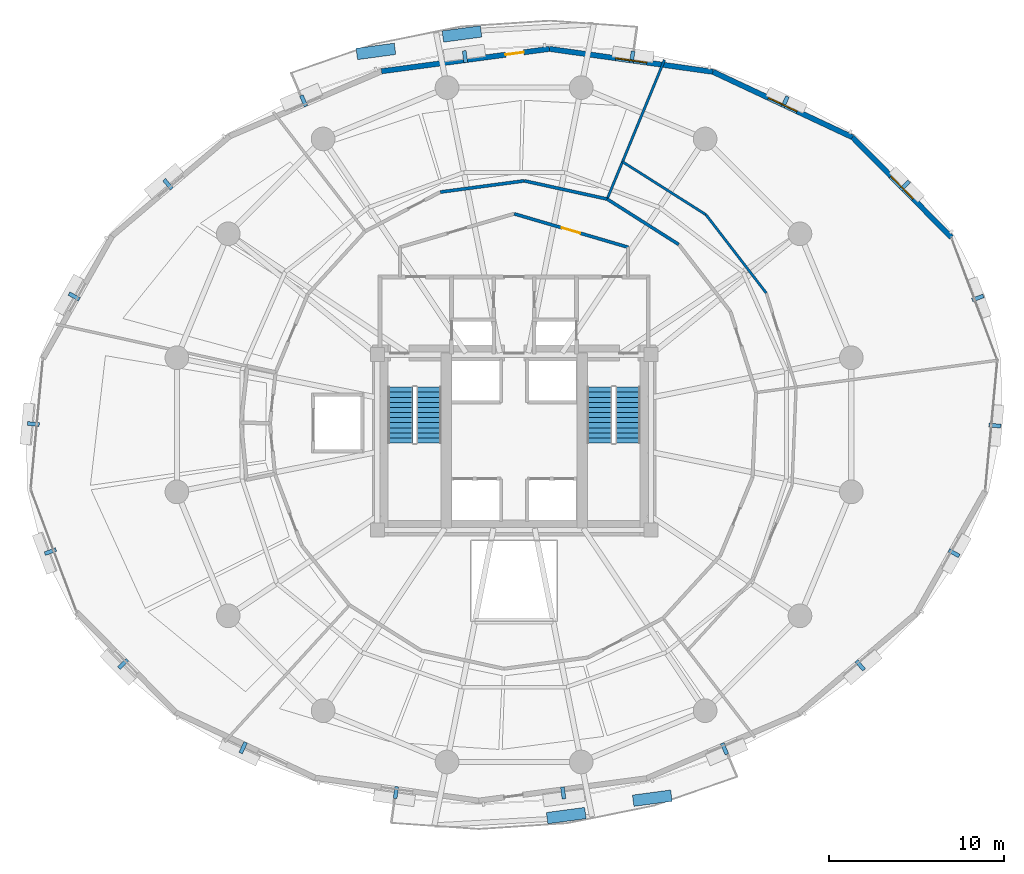
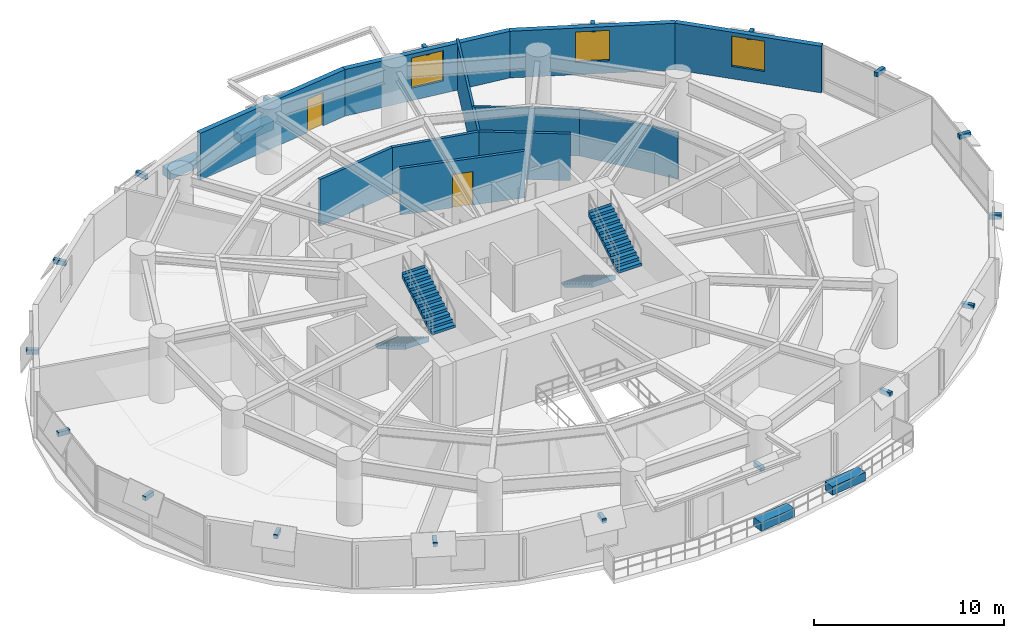
# One storey, part 14 of 17: 22 discrete accessories, 11 walls, 4 stair flights, 3 windows, 2 doors, 5 openings, 2 elements without a shape of their own.
"""IFC4 building model written with IfcOpenShell, lengths in metres."""

from ifc_helpers import new_model, si_unit, direction, frame, frame_2d, origin, origin_2d, place, context, subcontext, project, spatial, polyline, rectangle, outline, extrude, material, layer, layer_set, type_object, element, fill, aggregate, save


model = new_model("IFC4")

# Units and contexts
model_context = context("Model", 3, precision=1e-05, world=origin(), true_north=direction((0.0, 1.0)))
body_context = subcontext(model_context, "Body", "Model", "MODEL_VIEW")
ifc_project = project(units=[si_unit("LENGTHUNIT", "METRE"), si_unit("AREAUNIT", "SQUARE_METRE"), si_unit("VOLUMEUNIT", "CUBIC_METRE"), si_unit("PLANEANGLEUNIT", "RADIAN"), si_unit("MASSUNIT", "GRAM", prefix="KILO"), si_unit("THERMODYNAMICTEMPERATUREUNIT", "KELVIN"), si_unit("POWERUNIT", "WATT")], contexts=[model_context])

# Site, building, storey
site_placement = place(None, origin())
site = spatial("IfcSite", under=ifc_project, at=site_placement, CompositionType="ELEMENT")
building_placement = place(site_placement, origin())
building = spatial("IfcBuilding", under=site, at=building_placement, Name="Ocrelia Relay Tower", CompositionType="ELEMENT")
storey_placement = place(building_placement, frame((0.0, 0.0, 63.60009765625)))
storey = spatial("IfcBuildingStorey", under=building, at=storey_placement, Name="L14", CompositionType="ELEMENT", Elevation=63.60009765625)

# Wall, opening, door
ifc_material_1 = material(Name="Gypsum Fireboard Partition EI60", Category="gypsum")
ifc_layer_1 = layer(ifc_material_1, 0.179931640625, Name="Gypsum Fireboard Partition EI60")
ifc_layer_set_1 = layer_set([ifc_layer_1], Name="Gypsum Fireboard Partition EI60")
wall_type_1 = type_object("IfcWallType", Name="W-CORR-EI60-180", PredefinedType="PARTITIONING", material=ifc_layer_set_1)
wall_1_placement = place(storey_placement, frame((34.0, 38.030029296875, 0.0), z_axis=(0.0, 0.0, 1.0), x_axis=(0.959546654541, -0.281549671923, 0.0)))
wall_1 = element("IfcWall", 1, at=wall_1_placement, inside=storey, type_object=wall_type_1, Name="L14 North Smoke Lobby E Screen Wall", PredefinedType="PARTITIONING", context=body_context, shape_type="SweptSolid", body=[
    extrude(rectangle(XDim=6.77392578125, YDim=0.179931640625, at=frame_2d((3.386962890625, 0.0))), origin(), (0.0, 0.0, 1.0), 3.0),
])
opening_1_placement = place(wall_1_placement, frame((2.8369140625, 0.0, 0.0)))
opening_1 = element("IfcOpeningElement", 2, at=opening_1_placement, cuts=wall_1, Name="Opening D-FD60", PredefinedType="OPENING", context=body_context, shape_type="SweptSolid", body=[
    extrude(rectangle(XDim=1.10009765625, YDim=2.14990234375, at=frame_2d((0.550048828125, 1.074951171875))), frame((0.0, 0.10009765625, 0.0), z_axis=(0.0, -1.0, 0.0), x_axis=(1.0, 0.0, 0.0)), (0.0, 0.0, 1.0), 0.199951171875),
])
ifc_material_2 = material(Name="Timber-core 60-min acoustic fire door", Category="wood")
door_type_1 = type_object("IfcDoorType", Name="DR-LOBBY-FD60-1100", OperationType="NOTDEFINED", PredefinedType="DOOR", material=ifc_material_2)
door_1_placement = place(opening_1_placement, origin())
door_1 = element("IfcDoor", 3, at=door_1_placement, inside=storey, type_object=door_type_1, Name="L14 North Smoke Lobby E Fire Door", OperationType="SINGLE_SWING_LEFT", OverallHeight=2.14990234375, OverallWidth=1.10009765625, PredefinedType="DOOR", context=body_context, shape_type="SweptSolid", body=[
    extrude(rectangle(XDim=1.10009765625, YDim=2.14990234375, at=frame_2d((0.550048828125, 1.074951171875))), frame((0.0, 0.02490234375, 0.0), z_axis=(0.0, -1.0, 0.0), x_axis=(1.0, 0.0, 0.0)), (0.0, 0.0, 1.0), 0.050048828125),
])
fill(opening_1, door_1)

# Walls
for number, where, z_axis, x_axis, name in (
    (4, (43.38623046875, 36.279296875, 0.0), (0.0, 0.0, 1.0), (-0.844332495787, 0.535819593295, 0.0), "L14 Staff Wellness Room Corridor Partition 3"),
    (5, (39.304443359375, 38.86962890625, 0.0), (0.0, 0.0, 1.0), (-0.97667180078, 0.214737499194, 0.0), "L14 Shift Staff Lounge Corridor Partition 1"),
):
    element("IfcWall", number, at=place(storey_placement, frame(where, z_axis=z_axis, x_axis=x_axis)), inside=storey, type_object=wall_type_1, Name=name, PredefinedType="PARTITIONING", context=body_context, shape_type="SweptSolid", body=[
        extrude(rectangle(XDim=4.834228515625, YDim=0.179931640625, at=frame_2d((2.4169921875, 0.0))), origin(), (0.0, 0.0, 1.0), 3.0),
    ])
wall_2_placement = place(storey_placement, frame((34.5830078125, 39.90771484375, 0.0), z_axis=(0.0, 0.0, 1.0), x_axis=(-0.991215105634, -0.132259647527, 0.0)))
element("IfcWall", 6, at=wall_2_placement, inside=storey, type_object=wall_type_1, Name="L14 Shift Staff Lounge Corridor Partition 2", PredefinedType="PARTITIONING", context=body_context, shape_type="SweptSolid", body=[
    extrude(rectangle(XDim=4.83447265625, YDim=0.179931640625, at=frame_2d((2.417236328125, 0.0))), origin(), (0.0, 0.0, 1.0), 3.0),
])

# Wall, opening, window
ifc_material_3 = material(Name="Precast concrete C40/50 with oxide terracotta", Category="masonry")
ifc_layer_2 = layer(ifc_material_3, 0.300048828125, Name="Precast concrete C40/50 with oxide terracotta")
ifc_layer_set_2 = layer_set([ifc_layer_2], Name="Precast concrete C40/50 with oxide terracotta")
wall_type_2 = type_object("IfcWallType", Name="W-EXT-TERR-300", PredefinedType="SOLIDWALL", material=ifc_layer_set_2)
wall_3_placement = place(storey_placement, frame((58.930419921875, 36.676025390625, 0.0), z_axis=(0.0, 0.0, 1.0), x_axis=(-0.702143738973, 0.712035230744, 0.0)))
wall_3 = element("IfcWall", 7, at=wall_3_placement, inside=storey, type_object=wall_type_2, Name="L14 Oxide Terracotta Facade Wall 02", PredefinedType="SOLIDWALL", context=body_context, shape_type="SweptSolid", body=[
    extrude(rectangle(XDim=8.021728515625, YDim=0.300048828125, at=frame_2d((4.0107421875, 0.0))), origin(), (0.0, 0.0, 1.0), 3.0),
])
opening_2_placement = place(wall_3_placement, frame((3.111083984375, 0.0, 0.800048828125)))
opening_2 = element("IfcOpeningElement", 8, at=opening_2_placement, cuts=wall_3, Name="Opening W-02", PredefinedType="OPENING", context=body_context, shape_type="SweptSolid", body=[
    extrude(rectangle(XDim=1.800048828125, YDim=1.949951171875, at=frame_2d((0.89990234375, 0.97509765625))), frame((0.0, 0.16015625, 0.0), z_axis=(0.0, -1.0, 0.0), x_axis=(1.0, 0.0, 0.0)), (0.0, 0.0, 1.0), 0.320068359375),
])
ifc_material_4 = material(Name="Clear double-glazed low-E glass", Category="glass")
window_type = type_object("IfcWindowType", Name="WIN-Z1-1800x2100", PartitioningType="DOUBLE_PANEL_VERTICAL", PredefinedType="WINDOW", material=ifc_material_4)
window_1_placement = place(opening_2_placement, origin())
window_1 = element("IfcWindow", 9, at=window_1_placement, inside=storey, type_object=window_type, Name="L14 Facade Module Window 02", OverallHeight=1.949951171875, OverallWidth=1.800048828125, PartitioningType="SINGLE_PANEL", PredefinedType="WINDOW", context=body_context, shape_type="SweptSolid", body=[
    extrude(rectangle(XDim=1.800048828125, YDim=1.949951171875, at=frame_2d((0.89990234375, 0.97509765625))), frame((0.0, 0.030029296875, 0.0), z_axis=(0.0, -1.0, 0.0), x_axis=(1.0, 0.0, 0.0)), (0.0, 0.0, 1.0), 0.06005859375),
])
fill(opening_2, window_1)

wall_4_placement = place(storey_placement, frame((53.298095703125, 42.3876953125, 0.0), z_axis=(0.0, 0.0, 1.0), x_axis=(-0.905289465516, 0.424795225522, 0.0)))
wall_4 = element("IfcWall", 10, at=wall_4_placement, inside=storey, type_object=wall_type_2, Name="L14 Oxide Terracotta Facade Wall 03", PredefinedType="SOLIDWALL", context=body_context, shape_type="SweptSolid", body=[
    extrude(rectangle(XDim=8.792724609375, YDim=0.300048828125, at=frame_2d((4.396484375, 0.0))), origin(), (0.0, 0.0, 1.0), 3.0),
])
opening_3_placement = place(wall_4_placement, frame((3.49609375, 0.0, 0.800048828125)))
opening_3 = element("IfcOpeningElement", 11, at=opening_3_placement, cuts=wall_4, Name="Opening W-02", PredefinedType="OPENING", context=body_context, shape_type="SweptSolid", body=[
    extrude(rectangle(XDim=1.800048828125, YDim=1.949951171875, at=frame_2d((0.89990234375, 0.97509765625))), frame((0.0, 0.16015625, 0.0), z_axis=(0.0, -1.0, 0.0), x_axis=(1.0, 0.0, 0.0)), (0.0, 0.0, 1.0), 0.320068359375),
])
window_2_placement = place(opening_3_placement, origin())
window_2 = element("IfcWindow", 12, at=window_2_placement, inside=storey, type_object=window_type, Name="L14 Facade Module Window 03", OverallHeight=1.949951171875, OverallWidth=1.800048828125, PartitioningType="SINGLE_PANEL", PredefinedType="WINDOW", context=body_context, shape_type="SweptSolid", body=[
    extrude(rectangle(XDim=1.800048828125, YDim=1.949951171875, at=frame_2d((0.89990234375, 0.97509765625))), frame((0.0, 0.030029296875, 0.0), z_axis=(0.0, -1.0, 0.0), x_axis=(1.0, 0.0, 0.0)), (0.0, 0.0, 1.0), 0.06005859375),
])
fill(opening_3, window_2)

wall_5_placement = place(storey_placement, frame((45.338134765625, 46.122802734375, 0.0), z_axis=(0.0, 0.0, 1.0), x_axis=(-0.990312182989, 0.138858850001, 0.0)))
wall_5 = element("IfcWall", 13, at=wall_5_placement, inside=storey, type_object=wall_type_2, Name="L14 Oxide Terracotta Facade Wall 04", PredefinedType="SOLIDWALL", context=body_context, shape_type="SweptSolid", body=[
    extrude(rectangle(XDim=9.418701171875, YDim=0.300048828125, at=frame_2d((4.70947265625, 0.0))), origin(), (0.0, 0.0, 1.0), 3.0),
])
opening_4_placement = place(wall_5_placement, frame((3.80908203125, 0.0, 0.800048828125)))
opening_4 = element("IfcOpeningElement", 14, at=opening_4_placement, cuts=wall_5, Name="Opening W-02", PredefinedType="OPENING", context=body_context, shape_type="SweptSolid", body=[
    extrude(rectangle(XDim=1.800048828125, YDim=1.949951171875, at=frame_2d((0.89990234375, 0.97509765625))), frame((0.0, 0.16015625, 0.0), z_axis=(0.0, -1.0, 0.0), x_axis=(1.0, 0.0, 0.0)), (0.0, 0.0, 1.0), 0.320068359375),
])
window_3_placement = place(opening_4_placement, origin())
window_3 = element("IfcWindow", 15, at=window_3_placement, inside=storey, type_object=window_type, Name="L14 Facade Module Window 04", OverallHeight=1.949951171875, OverallWidth=1.800048828125, PartitioningType="SINGLE_PANEL", PredefinedType="WINDOW", context=body_context, shape_type="SweptSolid", body=[
    extrude(rectangle(XDim=1.800048828125, YDim=1.949951171875, at=frame_2d((0.89990234375, 0.97509765625))), frame((0.0, 0.030029296875, 0.0), z_axis=(0.0, -1.0, 0.0), x_axis=(1.0, 0.0, 0.0)), (0.0, 0.0, 1.0), 0.06005859375),
])
fill(opening_4, window_3)

# Wall, opening, door
wall_6_placement = place(storey_placement, frame((36.0107421875, 47.4306640625, 0.0), z_axis=(0.0, 0.0, 1.0), x_axis=(-0.991216412989, -0.132249849229, 0.0)))
wall_6 = element("IfcWall", 16, at=wall_6_placement, inside=storey, type_object=wall_type_2, Name="L14 Oxide Terracotta Facade Wall 05", PredefinedType="SOLIDWALL", context=body_context, shape_type="SweptSolid", body=[
    extrude(rectangle(XDim=9.65478515625, YDim=0.300048828125, at=frame_2d((4.827392578125, 0.0))), origin(), (0.0, 0.0, 1.0), 3.0),
])
opening_5_placement = place(wall_6_placement, frame((1.469970703125, 0.0, 0.0)))
opening_5 = element("IfcOpeningElement", 17, at=opening_5_placement, cuts=wall_6, Name="Opening DB-105", PredefinedType="OPENING", context=body_context, shape_type="SweptSolid", body=[
    extrude(rectangle(XDim=1.050048828125, YDim=2.14990234375, at=frame_2d((0.52490234375, 1.074951171875))), frame((0.0, 0.16015625, 0.0), z_axis=(0.0, -1.0, 0.0), x_axis=(1.0, 0.0, 0.0)), (0.0, 0.0, 1.0), 0.320068359375),
])
ifc_material_5 = material(Name="Thermally broken aluminium and clear glass", Category="aluminium")
door_type_2 = type_object("IfcDoorType", Name="DR-BALC-1050", OperationType="NOTDEFINED", PredefinedType="DOOR", material=ifc_material_5)
door_2_placement = place(opening_5_placement, origin())
door_2 = element("IfcDoor", 18, at=door_2_placement, inside=storey, type_object=door_type_2, Name="L14 Planted Loggia Balcony Door B1", OperationType="SINGLE_SWING_LEFT", OverallHeight=2.14990234375, OverallWidth=1.050048828125, PredefinedType="DOOR", context=body_context, shape_type="SweptSolid", body=[
    extrude(rectangle(XDim=1.050048828125, YDim=2.14990234375, at=frame_2d((0.52490234375, 1.074951171875))), frame((0.0, 0.02490234375, 0.0), z_axis=(0.0, -1.0, 0.0), x_axis=(1.0, 0.0, 0.0)), (0.0, 0.0, 1.0), 0.050048828125),
])
fill(opening_5, door_2)

# Walls
ifc_material_6 = material(Name="Acoustic Fireboard Partition EI60", Category="gypsum")
ifc_layer_3 = layer(ifc_material_6, 0.139892578125, Name="Acoustic Fireboard Partition EI60")
ifc_layer_set_3 = layer_set([ifc_layer_3], Name="Acoustic Fireboard Partition EI60")
wall_type_3 = type_object("IfcWallType", Name="W-PART-140", PredefinedType="PARTITIONING", material=ifc_layer_set_3)
wall_7_placement = place(storey_placement, frame((39.304443359375, 38.86962890625, 0.0), z_axis=(0.0, 0.0, 1.0), x_axis=(0.381077795598, 0.924542975584, 0.0)))
element("IfcWall", 19, at=wall_7_placement, inside=storey, type_object=wall_type_3, Name="L14 Staff Wellness Room Radial Partition", PredefinedType="PARTITIONING", context=body_context, shape_type="SweptSolid", body=[
    extrude(rectangle(XDim=8.57275390625, YDim=0.139892578125, at=frame_2d((4.286376953125, 0.0))), origin(), (0.0, 0.0, 1.0), 3.0),
])
wall_8_placement = place(storey_placement, frame((48.374267578125, 33.5146484375, 0.0), z_axis=(0.0, 0.0, 1.0), x_axis=(-0.610137948081, 0.792295200232, 0.0)))
element("IfcWall", 20, at=wall_8_placement, inside=storey, type_object=wall_type_3, Name="L14 Perimeter Staff Wellness Room Mid-Ring Partition 2", PredefinedType="PARTITIONING", context=body_context, shape_type="SweptSolid", body=[
    extrude(rectangle(XDim=5.633056640625, YDim=0.139892578125, at=frame_2d((2.81640625, 0.0))), origin(), (0.0, 0.0, 1.0), 3.0),
])
wall_9_placement = place(storey_placement, frame((44.937255859375, 37.977783203125, 0.0), z_axis=(0.0, 0.0, 1.0), x_axis=(-0.844340731921, 0.535806614759, 0.0)))
element("IfcWall", 21, at=wall_9_placement, inside=storey, type_object=wall_type_3, Name="L14 Perimeter Staff Wellness Room Mid-Ring Partition 3", PredefinedType="PARTITIONING", context=body_context, shape_type="SweptSolid", body=[
    extrude(rectangle(XDim=5.63330078125, YDim=0.139892578125, at=frame_2d((2.816650390625, 0.0))), origin(), (0.0, 0.0, 1.0), 3.0),
])

# Stair, stair flights
ifc_material_7 = material(Name="Concrete C50/60", Category="concrete")
stair_type = type_object("IfcStairType", Name="ST-DL-1420-R175", PredefinedType="HALF_TURN_STAIR", material=ifc_material_7)
stair_1_placement = place(storey_placement, origin())
stair_1 = element("IfcStair", 22, at=stair_1_placement, inside=storey, type_object=stair_type, Name="L14 West Core Exit Stair ST1", PredefinedType="HALF_TURN_STAIR")
stair_flight_type = type_object("IfcStairFlightType", Name="STF-DL-1420-R175", PredefinedType="STRAIGHT", material=ifc_material_7)
stair_flight_1_placement = place(storey_placement, frame((27.52001953125, 28.14990234375, 0.0), z_axis=(0.0, 0.0, 1.0), x_axis=(0.0, -1.0, 0.0)))
stair_flight_1 = element("IfcStairFlight", 23, at=stair_flight_1_placement, type_object=stair_flight_type, Name="ST1 flight 1", NumberOfRisers=12, NumberOfTreads=11, PredefinedType="STRAIGHT", RiserHeight=0.175, TreadLength=0.29, context=body_context, shape_type="SweptSolid", body=[
    extrude(outline(polyline([(-0.008056640625, 0.0), (-0.008056640625, 0.175048828125), (0.0, 0.175048828125), (0.2900390625, 0.175048828125), (0.2900390625, 0.35009765625), (0.580078125, 0.35009765625), (0.580078125, 0.52490234375), (0.8701171875, 0.52490234375), (0.8701171875, 0.699951171875), (1.159912109375, 0.699951171875), (1.159912109375, 0.875), (1.449951171875, 0.875), (1.449951171875, 1.050048828125), (1.739990234375, 1.050048828125), (1.739990234375, 1.22509765625), (2.030029296875, 1.22509765625), (2.030029296875, 1.39990234375), (2.320068359375, 1.39990234375), (2.320068359375, 1.574951171875), (2.610107421875, 1.574951171875), (2.610107421875, 1.75), (2.89990234375, 1.75), (2.89990234375, 1.925048828125), (3.18994140625, 1.925048828125), (3.18994140625, 2.10009765625), (3.197998046875, 2.10009765625), (3.197998046875, 1.75), (0.2900390625, 0.0), (-0.008056640625, 0.0)])), frame((0.0, 0.7099609375, 0.0), z_axis=(0.0, -1.0, 0.0), x_axis=(1.0, 0.0, 0.0)), (0.0, 0.0, 1.0), 1.419921875),
])
stair_flight_2_placement = place(storey_placement, frame((29.139892578125, 24.9599609375, 2.099853515625), z_axis=(0.0, 0.0, 1.0), x_axis=(0.0, 1.0, 0.0)))
stair_flight_2 = element("IfcStairFlight", 24, at=stair_flight_2_placement, type_object=stair_flight_type, Name="ST1 flight 2", NumberOfRisers=12, NumberOfTreads=11, PredefinedType="STRAIGHT", RiserHeight=0.175, TreadLength=0.29, context=body_context, shape_type="SweptSolid", body=[
    extrude(outline(polyline([(-0.008056640625, 0.0), (-0.008056640625, 0.175048828125), (0.0, 0.175048828125), (0.2900390625, 0.175048828125), (0.2900390625, 0.35009765625), (0.580078125, 0.35009765625), (0.580078125, 0.52490234375), (0.8701171875, 0.52490234375), (0.8701171875, 0.699951171875), (1.159912109375, 0.699951171875), (1.159912109375, 0.875), (1.449951171875, 0.875), (1.449951171875, 1.050048828125), (1.739990234375, 1.050048828125), (1.739990234375, 1.22509765625), (2.030029296875, 1.22509765625), (2.030029296875, 1.39990234375), (2.320068359375, 1.39990234375), (2.320068359375, 1.574951171875), (2.610107421875, 1.574951171875), (2.610107421875, 1.75), (2.89990234375, 1.75), (2.89990234375, 1.925048828125), (3.18994140625, 1.925048828125), (3.18994140625, 2.10009765625), (3.197998046875, 2.10009765625), (3.197998046875, 1.75), (0.2900390625, 0.0), (-0.008056640625, 0.0)])), frame((0.0, 0.7099609375, 0.0), z_axis=(0.0, -1.0, 0.0), x_axis=(1.0, 0.0, 0.0)), (0.0, 0.0, 1.0), 1.419921875),
])
aggregate(stair_1, [stair_flight_1, stair_flight_2])

stair_2_placement = place(storey_placement, origin())
stair_2 = element("IfcStair", 25, at=stair_2_placement, inside=storey, type_object=stair_type, Name="L14 East Core Exit Stair ST2", PredefinedType="HALF_TURN_STAIR")
stair_flight_3_placement = place(storey_placement, frame((38.8701171875, 28.14990234375, 0.0), z_axis=(0.0, 0.0, 1.0), x_axis=(0.0, -1.0, 0.0)))
stair_flight_3 = element("IfcStairFlight", 26, at=stair_flight_3_placement, type_object=stair_flight_type, Name="ST2 flight 1", NumberOfRisers=12, NumberOfTreads=11, PredefinedType="STRAIGHT", RiserHeight=0.175, TreadLength=0.29, context=body_context, shape_type="SweptSolid", body=[
    extrude(outline(polyline([(-0.008056640625, 0.0), (-0.008056640625, 0.175048828125), (0.0, 0.175048828125), (0.2900390625, 0.175048828125), (0.2900390625, 0.35009765625), (0.580078125, 0.35009765625), (0.580078125, 0.52490234375), (0.8701171875, 0.52490234375), (0.8701171875, 0.699951171875), (1.159912109375, 0.699951171875), (1.159912109375, 0.875), (1.449951171875, 0.875), (1.449951171875, 1.050048828125), (1.739990234375, 1.050048828125), (1.739990234375, 1.22509765625), (2.030029296875, 1.22509765625), (2.030029296875, 1.39990234375), (2.320068359375, 1.39990234375), (2.320068359375, 1.574951171875), (2.610107421875, 1.574951171875), (2.610107421875, 1.75), (2.89990234375, 1.75), (2.89990234375, 1.925048828125), (3.18994140625, 1.925048828125), (3.18994140625, 2.10009765625), (3.197998046875, 2.10009765625), (3.197998046875, 1.75), (0.2900390625, 0.0), (-0.008056640625, 0.0)])), frame((0.0, 0.7099609375, 0.0), z_axis=(0.0, -1.0, 0.0), x_axis=(1.0, 0.0, 0.0)), (0.0, 0.0, 1.0), 1.419921875),
])
stair_flight_4_placement = place(storey_placement, frame((40.489990234375, 24.9599609375, 2.099853515625), z_axis=(0.0, 0.0, 1.0), x_axis=(0.0, 1.0, 0.0)))
stair_flight_4 = element("IfcStairFlight", 27, at=stair_flight_4_placement, type_object=stair_flight_type, Name="ST2 flight 2", NumberOfRisers=12, NumberOfTreads=11, PredefinedType="STRAIGHT", RiserHeight=0.175, TreadLength=0.29, context=body_context, shape_type="SweptSolid", body=[
    extrude(outline(polyline([(-0.008056640625, 0.0), (-0.008056640625, 0.175048828125), (0.0, 0.175048828125), (0.2900390625, 0.175048828125), (0.2900390625, 0.35009765625), (0.580078125, 0.35009765625), (0.580078125, 0.52490234375), (0.8701171875, 0.52490234375), (0.8701171875, 0.699951171875), (1.159912109375, 0.699951171875), (1.159912109375, 0.875), (1.449951171875, 0.875), (1.449951171875, 1.050048828125), (1.739990234375, 1.050048828125), (1.739990234375, 1.22509765625), (2.030029296875, 1.22509765625), (2.030029296875, 1.39990234375), (2.320068359375, 1.39990234375), (2.320068359375, 1.574951171875), (2.610107421875, 1.574951171875), (2.610107421875, 1.75), (2.89990234375, 1.75), (2.89990234375, 1.925048828125), (3.18994140625, 1.925048828125), (3.18994140625, 2.10009765625), (3.197998046875, 2.10009765625), (3.197998046875, 1.75), (0.2900390625, 0.0), (-0.008056640625, 0.0)])), frame((0.0, 0.7099609375, 0.0), z_axis=(0.0, -1.0, 0.0), x_axis=(1.0, 0.0, 0.0)), (0.0, 0.0, 1.0), 1.419921875),
])
aggregate(stair_2, [stair_flight_3, stair_flight_4])

# Discrete accessories
ifc_material_8 = material(Name="Precast concrete C40/50 planter with highland greenery", Category="concrete")
discrete_accessory_type_1 = type_object("IfcDiscreteAccessoryType", Name="ACC-BALC-PLANTER", PredefinedType="USERDEFINED", material=ifc_material_8)
for number, where, z_axis, x_axis, name in (
    (28, (31.027099609375, 48.27978515625, 0.0), (0.0, 0.0, 1.0), (0.991215107616, 0.13225963267, 0.0), "L14 Balcony Terracotta Planter with Greenery B1"),
    (29, (26.12158203125, 47.286865234375, 0.0), (0.0, 0.0, 1.0), (0.991215107616, 0.13225963267, 0.0), "L14 Balcony Terracotta Planter B1-2"),
    (30, (36.972900390625, 3.72021484375, 0.0), (0.0, 0.0, 1.0), (-0.991215107616, -0.13225963267, 0.0), "L14 Balcony Terracotta Planter with Greenery B2"),
    (31, (41.87841796875, 4.713134765625, 0.0), (0.0, 0.0, 1.0), (-0.991215107616, -0.13225963267, 0.0), "L14 Balcony Terracotta Planter B2-2"),
):
    element("IfcDiscreteAccessory", number, at=place(storey_placement, frame(where, z_axis=z_axis, x_axis=x_axis)), inside=storey, type_object=discrete_accessory_type_1, Name=name, ObjectType="PLANTER", PredefinedType="USERDEFINED", context=body_context, shape_type="SweptSolid", body=[
        extrude(rectangle(XDim=2.199951171875, YDim=0.64990234375, at=origin_2d()), origin(), (0.0, 0.0, 1.0), 0.550048828125),
    ])
ifc_material_9 = material(Name="Steel S355", Category="steel")
discrete_accessory_type_2 = type_object("IfcDiscreteAccessoryType", Name="ACC-VISOR-BRACKET", PredefinedType="BRACKET", material=ifc_material_9)
for number, where, z_axis, x_axis, name in (
    (32, (60.43603515625, 33.22900390625, 2.69970703125), (0.0, 0.0, 1.0), (-0.351189410055, 0.936304436743, 0.0), "L14 Visor Mounting Bracket 01"),
    (33, (56.284912109375, 39.63623046875, 2.69970703125), (0.0, 0.0, 1.0), (-0.702146566192, 0.71203244279, 0.0), "L14 Visor Mounting Bracket 02"),
    (34, (49.44677734375, 44.408447265625, 2.69970703125), (0.0, 0.0, 1.0), (-0.905290591783, 0.424792825304, 0.0), "L14 Visor Mounting Bracket 03"),
    (35, (40.735595703125, 46.967041015625, 2.69970703125), (0.0, 0.0, 1.0), (-0.990311838289, 0.138861308307, 0.0), "L14 Visor Mounting Bracket 04"),
    (36, (31.19921875, 46.990478515625, 2.69970703125), (0.0, 0.0, 1.0), (-0.991215684516, -0.132255309043, 0.0), "L14 Visor Mounting Bracket 05"),
    (37, (22.002685546875, 44.467529296875, 2.69970703125), (0.0, 0.0, 1.0), (-0.919254826967, -0.393663007022, 0.0), "L14 Visor Mounting Bracket 06"),
    (38, (14.26708984375, 39.71435546875, 2.69970703125), (0.0, 0.0, 1.0), (-0.762251834045, -0.647280574014, 0.0), "L14 Visor Mounting Bracket 07"),
    (39, (8.91943359375, 33.31640625, 2.69970703125), (0.0, 0.0, 1.0), (-0.490896778038, -0.871217741619, 0.0), "L14 Visor Mounting Bracket 08"),
    (40, (6.593505859375, 26.044921875, 2.69970703125), (0.0, 0.0, 1.0), (-0.093413227811, -0.995627424728, 0.0), "L14 Visor Mounting Bracket 09"),
    (41, (7.56396484375, 18.77099609375, 2.69970703125), (0.0, 0.0, 1.0), (0.351189410055, -0.936304436743, 0.0), "L14 Visor Mounting Bracket 10"),
    (42, (11.715087890625, 12.36376953125, 2.69970703125), (0.0, 0.0, 1.0), (0.702146566192, -0.71203244279, 0.0), "L14 Visor Mounting Bracket 11"),
    (43, (18.55322265625, 7.591552734375, 2.69970703125), (0.0, 0.0, 1.0), (0.905290591783, -0.424792825304, 0.0), "L14 Visor Mounting Bracket 12"),
    (44, (27.264404296875, 5.032958984375, 2.69970703125), (0.0, 0.0, 1.0), (0.990311838289, -0.138861308307, 0.0), "L14 Visor Mounting Bracket 13"),
    (45, (36.80078125, 5.009521484375, 2.69970703125), (0.0, 0.0, 1.0), (0.991215684516, 0.132255309043, 0.0), "L14 Visor Mounting Bracket 14"),
    (46, (45.997314453125, 7.532470703125, 2.69970703125), (0.0, 0.0, 1.0), (0.919254826967, 0.393663007022, 0.0), "L14 Visor Mounting Bracket 15"),
    (47, (53.73291015625, 12.28564453125, 2.69970703125), (0.0, 0.0, 1.0), (0.762251834045, 0.647280574014, 0.0), "L14 Visor Mounting Bracket 16"),
    (48, (59.08056640625, 18.68359375, 2.69970703125), (0.0, 0.0, 1.0), (0.490896778038, 0.871217741619, 0.0), "L14 Visor Mounting Bracket 17"),
    (49, (61.406494140625, 25.955078125, 2.69970703125), (0.0, 0.0, 1.0), (0.093413227811, 0.995627424728, 0.0), "L14 Visor Mounting Bracket 18"),
):
    element("IfcDiscreteAccessory", number, at=place(storey_placement, frame(where, z_axis=z_axis, x_axis=x_axis)), inside=storey, type_object=discrete_accessory_type_2, Name=name, PredefinedType="BRACKET", context=body_context, shape_type="SweptSolid", body=[
        extrude(rectangle(XDim=0.219970703125, YDim=0.679931640625, at=origin_2d()), origin(), (0.0, 0.0, 1.0), 0.280029296875),
    ])

save(model, "model.ifc")
